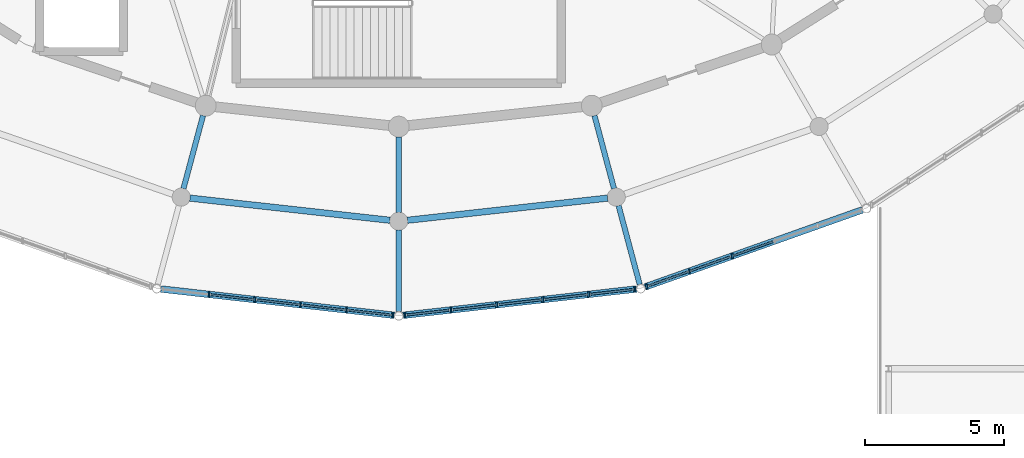
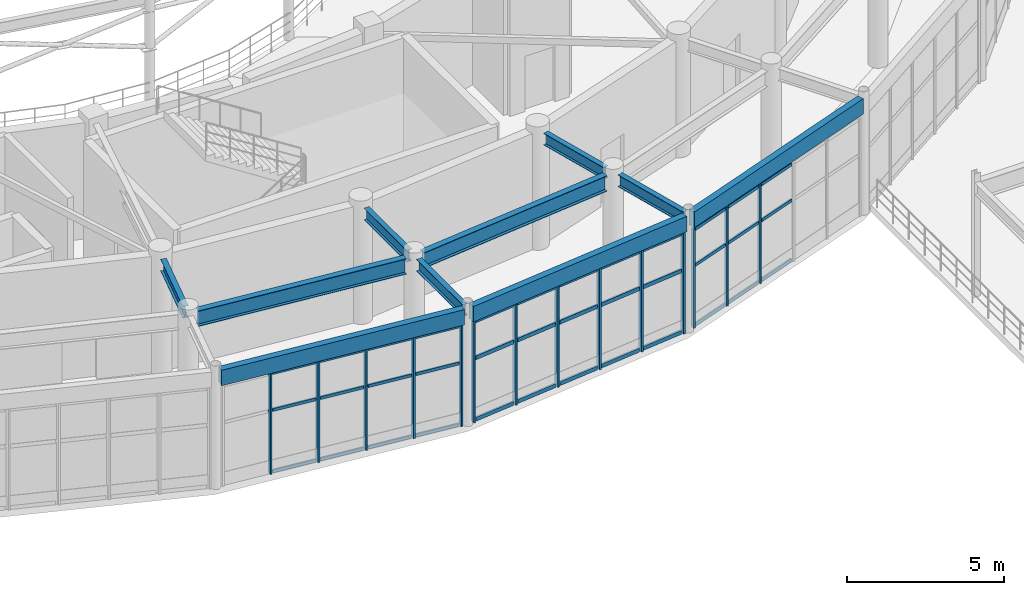
# One storey, part 36 of 144: 50 members, 10 beams, 3 elements without a shape of their own.
"""IFC4 building model written with IfcOpenShell, lengths in metres."""

from ifc_helpers import new_model, si_unit, direction, frame, origin, origin_2d, place, context, subcontext, project, spatial, rectangle, i_section, extrude, material, material_profile, profile_set, type_object, element, aggregate, save


model = new_model("IFC4")

# Units and contexts
model_context = context("Model", 3, precision=1e-05, world=origin(), true_north=direction((0.0, 1.0)))
body_context = subcontext(model_context, "Body", "Model", "MODEL_VIEW")
ifc_project = project(units=[si_unit("LENGTHUNIT", "METRE"), si_unit("AREAUNIT", "SQUARE_METRE"), si_unit("VOLUMEUNIT", "CUBIC_METRE"), si_unit("PLANEANGLEUNIT", "RADIAN"), si_unit("MASSUNIT", "GRAM", prefix="KILO")], contexts=[model_context])

# Site, building, storey
site_placement = place(None, origin())
site = spatial("IfcSite", under=ifc_project, at=site_placement, CompositionType="ELEMENT")
building_placement = place(site_placement, origin())
building = spatial("IfcBuilding", under=site, at=building_placement, Name="Cinderbank Siding Concert Hall", CompositionType="ELEMENT")
storey_placement = place(building_placement, frame((0.0, 0.0, 5.39990234375)))
storey = spatial("IfcBuildingStorey", under=building, at=storey_placement, Name="L02", CompositionType="ELEMENT", Elevation=5.39990234375)

# Beams
ifc_material_1 = material(Name="Structural steel AS/NZS 3679.1 Grade 350 (340 MPa)", Category="steel")
ifc_material_profile_1 = material_profile(ifc_material_1, i_section(OverallWidth=0.19091796875, OverallDepth=0.46044921875, WebThickness=0.010009765625, FlangeThickness=0.01611328125, at=origin_2d()), Name="460UB82.1", Category="LoadBearing")
ifc_profile_set_1 = profile_set([ifc_material_profile_1], Name="Structural steel AS/NZS 3679.1 Grade 350 (340 MPa)")
beam_type_1 = type_object("IfcBeamType", Name="BM-UB460H 460UB82.1", PredefinedType="BEAM", material=ifc_profile_set_1)
beam_1_placement = place(storey_placement, frame((114.968505859375, 22.39501953125, 4.2919921875), z_axis=(-0.258809477387, -0.9659283899, 0.0), x_axis=(0.9659283899, -0.258809477387, 0.0)))
element("IfcBeam", 1, at=beam_1_placement, inside=storey, type_object=beam_type_1, Name="L02 Beam BM-UB460H #513", PredefinedType="BEAM", context=body_context, shape_type="SweptSolid", body=[
    extrude(i_section(OverallWidth=0.19091796875, OverallDepth=0.46044921875, WebThickness=0.010009765625, FlangeThickness=0.01611328125, at=origin_2d()), origin(), (0.0, 0.0, 1.0), 2.7158203125),
])
beam_2_placement = place(storey_placement, frame((122.0, 21.633056640625, 4.2919921875), z_axis=(0.0, -1.0, 0.0), x_axis=(1.0, 0.0, 0.0)))
element("IfcBeam", 2, at=beam_2_placement, inside=storey, type_object=beam_type_1, Name="L02 Beam BM-UB460H #514", PredefinedType="BEAM", context=body_context, shape_type="SweptSolid", body=[
    extrude(i_section(OverallWidth=0.19091796875, OverallDepth=0.46044921875, WebThickness=0.010009765625, FlangeThickness=0.01611328125, at=origin_2d()), origin(), (0.0, 0.0, 1.0), 2.716064453125),
])
beam_3_placement = place(storey_placement, frame((129.031494140625, 22.39501953125, 4.2919921875), z_axis=(0.258809477387, -0.9659283899, 0.0), x_axis=(0.9659283899, 0.258809477387, 0.0)))
element("IfcBeam", 3, at=beam_3_placement, inside=storey, type_object=beam_type_1, Name="L02 Beam BM-UB460H #515", PredefinedType="BEAM", context=body_context, shape_type="SweptSolid", body=[
    extrude(i_section(OverallWidth=0.19091796875, OverallDepth=0.46044921875, WebThickness=0.010009765625, FlangeThickness=0.01611328125, at=origin_2d()), origin(), (0.0, 0.0, 1.0), 2.7158203125),
])
for number, where, z_axis, x_axis, name in (
    (4, (122.0, 18.282958984375, 4.331787109375), (0.0, -1.0, 0.0), (1.0, 0.0, 0.0), "L02 Beam BM-UB460H #539"),
    (5, (129.898193359375, 19.1591796875, 4.331787109375), (0.258897184534, -0.965904885504, 0.0), (0.965904885504, 0.258897184534, 0.0), "L02 Beam BM-UB460H #540"),
):
    element("IfcBeam", number, at=place(storey_placement, frame(where, z_axis=z_axis, x_axis=x_axis)), inside=storey, type_object=beam_type_1, Name=name, PredefinedType="BEAM", context=body_context, shape_type="SweptSolid", body=[
        extrude(i_section(OverallWidth=0.19091796875, OverallDepth=0.46044921875, WebThickness=0.010009765625, FlangeThickness=0.01611328125, at=origin_2d()), origin(), (0.0, 0.0, 1.0), 2.928955078125),
    ])
ifc_material_profile_2 = material_profile(ifc_material_1, i_section(OverallWidth=0.22802734375, OverallDepth=0.60693359375, WebThickness=0.01123046875, FlangeThickness=0.017333984375, at=origin_2d()), Name="610UB113", Category="LoadBearing")
ifc_profile_set_2 = profile_set([ifc_material_profile_2], Name="Structural steel AS/NZS 3679.1 Grade 350 (340 MPa)")
beam_type_2 = type_object("IfcBeamType", Name="BM-UB610M 610UB113", PredefinedType="BEAM", material=ifc_profile_set_2)
for number, where, z_axis, x_axis, name in (
    (6, (114.498779296875, 19.4306640625, 4.218505859375), (0.993926077211, -0.110049775281, 0.0), (0.110049775281, 0.993926077211, 0.0), "L02 Beam BM-UB610M #457"),
    (7, (122.315185546875, 18.635009765625, 4.218505859375), (0.993926077211, 0.110049775281, 0.0), (-0.110049775281, 0.993926077211, 0.0), "L02 Beam BM-UB610M #458"),
):
    element("IfcBeam", number, at=place(storey_placement, frame(where, z_axis=z_axis, x_axis=x_axis)), inside=storey, type_object=beam_type_2, Name=name, PredefinedType="BEAM", context=body_context, shape_type="SweptSolid", body=[
        extrude(i_section(OverallWidth=0.22802734375, OverallDepth=0.60693359375, WebThickness=0.01123046875, FlangeThickness=0.017333984375, at=origin_2d()), origin(), (0.0, 0.0, 1.0), 7.22998046875),
    ])

# Curtain wall, members
ifc_material_2 = material(Name="Anodised aluminium alloy 6063-T6", Category="aluminium")
curtain_wall_type_1 = type_object("IfcCurtainWallType", Name="CW-06 Unitised Acoustic Curtain Wall 7600x3800", PredefinedType="NOTDEFINED", material=ifc_material_2)
curtain_wall_1_placement = place(storey_placement, origin())
curtain_wall_1 = element("IfcCurtainWall", 8, at=curtain_wall_1_placement, inside=storey, type_object=curtain_wall_type_1, Name="L02 Curtain Wall CW-06 #18", PredefinedType="NOTDEFINED")
ifc_material_profile_3 = material_profile(ifc_material_2, rectangle(XDim=0.06005859375, YDim=0.159912109375, at=origin_2d()), Name="ALU-MULL-60x160", Category="LoadBearing")
ifc_profile_set_3 = profile_set([ifc_material_profile_3], Name="Anodised aluminium alloy 6063-T6")
member_type_1 = type_object("IfcMemberType", Name="CW-ML1 Mullion 60x160", PredefinedType="MULLION", material=ifc_profile_set_3)
member_1_placement = place(storey_placement, frame((115.17822265625, 15.9697265625, 0.0), z_axis=(0.0, 0.0, 1.0), x_axis=(1.0, 0.0, 0.0)))
member_1 = element("IfcMember", 9, at=member_1_placement, type_object=member_type_1, Name="CW-L02-018 Mullion 1", PredefinedType="MULLION", context=body_context, shape_type="SweptSolid", body=[
    extrude(rectangle(XDim=0.06005859375, YDim=0.159912109375, at=origin_2d()), origin(), (0.0, 0.0, 1.0), 3.947021484375),
])
member_2_placement = place(storey_placement, frame((116.827392578125, 15.78369140625, 0.0), z_axis=(0.0, 0.0, 1.0), x_axis=(1.0, 0.0, 0.0)))
member_2 = element("IfcMember", 10, at=member_2_placement, type_object=member_type_1, Name="CW-L02-018 Mullion 2", PredefinedType="MULLION", context=body_context, shape_type="SweptSolid", body=[
    extrude(rectangle(XDim=0.06005859375, YDim=0.159912109375, at=origin_2d()), origin(), (0.0, 0.0, 1.0), 3.947021484375),
])
member_3_placement = place(storey_placement, frame((118.476318359375, 15.59765625, 0.0), z_axis=(0.0, 0.0, 1.0), x_axis=(1.0, 0.0, 0.0)))
member_3 = element("IfcMember", 11, at=member_3_placement, type_object=member_type_1, Name="CW-L02-018 Mullion 3", PredefinedType="MULLION", context=body_context, shape_type="SweptSolid", body=[
    extrude(rectangle(XDim=0.06005859375, YDim=0.159912109375, at=origin_2d()), origin(), (0.0, 0.0, 1.0), 3.947021484375),
])
member_4_placement = place(storey_placement, frame((120.12548828125, 15.41162109375, 0.0), z_axis=(0.0, 0.0, 1.0), x_axis=(1.0, 0.0, 0.0)))
member_4 = element("IfcMember", 12, at=member_4_placement, type_object=member_type_1, Name="CW-L02-018 Mullion 4", PredefinedType="MULLION", context=body_context, shape_type="SweptSolid", body=[
    extrude(rectangle(XDim=0.06005859375, YDim=0.159912109375, at=origin_2d()), origin(), (0.0, 0.0, 1.0), 3.947021484375),
])
member_5_placement = place(storey_placement, frame((121.7744140625, 15.225341796875, 0.0), z_axis=(0.0, 0.0, 1.0), x_axis=(1.0, 0.0, 0.0)))
member_5 = element("IfcMember", 13, at=member_5_placement, type_object=member_type_1, Name="CW-L02-018 Mullion 5", PredefinedType="MULLION", context=body_context, shape_type="SweptSolid", body=[
    extrude(rectangle(XDim=0.06005859375, YDim=0.159912109375, at=origin_2d()), origin(), (0.0, 0.0, 1.0), 3.947021484375),
])

curtain_wall_type_2 = type_object("IfcCurtainWallType", Name="CW-08 Unitised Acoustic Curtain Wall 6400x3800", PredefinedType="NOTDEFINED", material=ifc_material_2)
curtain_wall_2_placement = place(storey_placement, origin())
curtain_wall_2 = element("IfcCurtainWall", 14, at=curtain_wall_2_placement, inside=storey, type_object=curtain_wall_type_2, Name="L02 Curtain Wall CW-08 #20", PredefinedType="NOTDEFINED")
member_6_placement = place(storey_placement, frame((130.91015625, 16.257080078125, 0.0), z_axis=(0.0, 0.0, 1.0), x_axis=(1.0, 0.0, 0.0)))
member_6 = element("IfcMember", 15, at=member_6_placement, type_object=member_type_1, Name="CW-L02-020 Mullion 0", PredefinedType="MULLION", context=body_context, shape_type="SweptSolid", body=[
    extrude(rectangle(XDim=0.06005859375, YDim=0.159912109375, at=origin_2d()), origin(), (0.0, 0.0, 1.0), 3.837158203125),
])
member_7_placement = place(storey_placement, frame((132.4453125, 16.80224609375, 0.0), z_axis=(0.0, 0.0, 1.0), x_axis=(1.0, 0.0, 0.0)))
member_7 = element("IfcMember", 16, at=member_7_placement, type_object=member_type_1, Name="CW-L02-020 Mullion 1", PredefinedType="MULLION", context=body_context, shape_type="SweptSolid", body=[
    extrude(rectangle(XDim=0.06005859375, YDim=0.159912109375, at=origin_2d()), origin(), (0.0, 0.0, 1.0), 3.837158203125),
])
member_8_placement = place(storey_placement, frame((133.980712890625, 17.347412109375, 0.0), z_axis=(0.0, 0.0, 1.0), x_axis=(1.0, 0.0, 0.0)))
member_8 = element("IfcMember", 17, at=member_8_placement, type_object=member_type_1, Name="CW-L02-020 Mullion 2", PredefinedType="MULLION", context=body_context, shape_type="SweptSolid", body=[
    extrude(rectangle(XDim=0.06005859375, YDim=0.159912109375, at=origin_2d()), origin(), (0.0, 0.0, 1.0), 3.837158203125),
])

curtain_wall_type_3 = type_object("IfcCurtainWallType", Name="CW-07 Unitised Acoustic Curtain Wall 7000x3800", PredefinedType="NOTDEFINED", material=ifc_material_2)
curtain_wall_3_placement = place(storey_placement, origin())
curtain_wall_3 = element("IfcCurtainWall", 18, at=curtain_wall_3_placement, inside=storey, type_object=curtain_wall_type_3, Name="L02 Curtain Wall CW-07 #19", PredefinedType="NOTDEFINED")
ifc_material_profile_4 = material_profile(ifc_material_2, rectangle(XDim=0.06494140625, YDim=0.199951171875, at=origin_2d()), Name="ALU-MULL-65x200", Category="LoadBearing")
ifc_profile_set_4 = profile_set([ifc_material_profile_4], Name="Anodised aluminium alloy 6063-T6")
member_type_2 = type_object("IfcMemberType", Name="CW-ML2 Mullion 65x200", PredefinedType="MULLION", material=ifc_profile_set_4)
member_9_placement = place(storey_placement, frame((122.2255859375, 15.225341796875, 0.0), z_axis=(0.0, 0.0, 1.0), x_axis=(1.0, 0.0, 0.0)))
member_9 = element("IfcMember", 19, at=member_9_placement, type_object=member_type_2, Name="CW-L02-019 Mullion 0", PredefinedType="MULLION", context=body_context, shape_type="SweptSolid", body=[
    extrude(rectangle(XDim=0.06494140625, YDim=0.199951171875, at=origin_2d()), origin(), (0.0, 0.0, 1.0), 3.947021484375),
])
member_10_placement = place(storey_placement, frame((123.87451171875, 15.41162109375, 0.0), z_axis=(0.0, 0.0, 1.0), x_axis=(1.0, 0.0, 0.0)))
member_10 = element("IfcMember", 20, at=member_10_placement, type_object=member_type_2, Name="CW-L02-019 Mullion 1", PredefinedType="MULLION", context=body_context, shape_type="SweptSolid", body=[
    extrude(rectangle(XDim=0.06494140625, YDim=0.199951171875, at=origin_2d()), origin(), (0.0, 0.0, 1.0), 3.947021484375),
])
member_11_placement = place(storey_placement, frame((125.523681640625, 15.59765625, 0.0), z_axis=(0.0, 0.0, 1.0), x_axis=(1.0, 0.0, 0.0)))
member_11 = element("IfcMember", 21, at=member_11_placement, type_object=member_type_2, Name="CW-L02-019 Mullion 2", PredefinedType="MULLION", context=body_context, shape_type="SweptSolid", body=[
    extrude(rectangle(XDim=0.06494140625, YDim=0.199951171875, at=origin_2d()), origin(), (0.0, 0.0, 1.0), 3.947021484375),
])
member_12_placement = place(storey_placement, frame((127.172607421875, 15.78369140625, 0.0), z_axis=(0.0, 0.0, 1.0), x_axis=(1.0, 0.0, 0.0)))
member_12 = element("IfcMember", 22, at=member_12_placement, type_object=member_type_2, Name="CW-L02-019 Mullion 3", PredefinedType="MULLION", context=body_context, shape_type="SweptSolid", body=[
    extrude(rectangle(XDim=0.06494140625, YDim=0.199951171875, at=origin_2d()), origin(), (0.0, 0.0, 1.0), 3.947021484375),
])
member_13_placement = place(storey_placement, frame((128.82177734375, 15.9697265625, 0.0), z_axis=(0.0, 0.0, 1.0), x_axis=(1.0, 0.0, 0.0)))
member_13 = element("IfcMember", 23, at=member_13_placement, type_object=member_type_2, Name="CW-L02-019 Mullion 4", PredefinedType="MULLION", context=body_context, shape_type="SweptSolid", body=[
    extrude(rectangle(XDim=0.06494140625, YDim=0.199951171875, at=origin_2d()), origin(), (0.0, 0.0, 1.0), 3.947021484375),
])
member_14_placement = place(storey_placement, frame((130.470703125, 16.156005859375, 0.0), z_axis=(0.0, 0.0, 1.0), x_axis=(1.0, 0.0, 0.0)))
member_14 = element("IfcMember", 24, at=member_14_placement, type_object=member_type_2, Name="CW-L02-019 Mullion 5", PredefinedType="MULLION", context=body_context, shape_type="SweptSolid", body=[
    extrude(rectangle(XDim=0.06494140625, YDim=0.199951171875, at=origin_2d()), origin(), (0.0, 0.0, 1.0), 3.947021484375),
])

# Member
ifc_material_profile_5 = material_profile(ifc_material_2, rectangle(XDim=0.06005859375, YDim=0.1201171875, at=origin_2d()), Name="ALU-TRAN-60x120", Category="LoadBearing")
ifc_profile_set_5 = profile_set([ifc_material_profile_5], Name="Anodised aluminium alloy 6063-T6")
member_type_3 = type_object("IfcMemberType", Name="CW-TR1 Transom 60x120", PredefinedType="USERDEFINED", material=ifc_profile_set_5)
member_15_placement = place(storey_placement, frame((115.2607421875, 15.96044921875, 0.06005859375), z_axis=(0.993692895122, -0.112135766747, 0.0), x_axis=(0.112135766747, 0.993692895122, 0.0)))
member_15 = element("IfcMember", 25, at=member_15_placement, type_object=member_type_3, Name="CW-L02-018 Transom 1-0", ObjectType="TRANSOM", PredefinedType="USERDEFINED", context=body_context, shape_type="SweptSolid", body=[
    extrude(rectangle(XDim=0.06005859375, YDim=0.1201171875, at=origin_2d()), origin(), (0.0, 0.0, 1.0), 1.49365234375),
])

member_16_placement = place(storey_placement, frame((115.2607421875, 15.96044921875, 2.447265625), z_axis=(0.993692895122, -0.112135766747, 0.0), x_axis=(0.112135766747, 0.993692895122, 0.0)))
member_16 = element("IfcMember", 26, at=member_16_placement, type_object=member_type_3, Name="CW-L02-018 Transom 1-1", ObjectType="TRANSOM", PredefinedType="USERDEFINED", context=body_context, shape_type="SweptSolid", body=[
    extrude(rectangle(XDim=0.06005859375, YDim=0.1201171875, at=origin_2d()), origin(), (0.0, 0.0, 1.0), 1.49365234375),
])

member_17_placement = place(storey_placement, frame((115.2607421875, 15.96044921875, 3.88720703125), z_axis=(0.993692895122, -0.112135766747, 0.0), x_axis=(0.112135766747, 0.993692895122, 0.0)))
member_17 = element("IfcMember", 27, at=member_17_placement, type_object=member_type_3, Name="CW-L02-018 Transom 1-2", ObjectType="TRANSOM", PredefinedType="USERDEFINED", context=body_context, shape_type="SweptSolid", body=[
    extrude(rectangle(XDim=0.06005859375, YDim=0.1201171875, at=origin_2d()), origin(), (0.0, 0.0, 1.0), 1.49365234375),
])

member_18_placement = place(storey_placement, frame((116.909912109375, 15.7744140625, 0.06005859375), z_axis=(0.993690839164, -0.112153984151, 0.0), x_axis=(0.112153984151, 0.993690839164, 0.0)))
member_18 = element("IfcMember", 28, at=member_18_placement, type_object=member_type_3, Name="CW-L02-018 Transom 2-0", ObjectType="TRANSOM", PredefinedType="USERDEFINED", context=body_context, shape_type="SweptSolid", body=[
    extrude(rectangle(XDim=0.06005859375, YDim=0.1201171875, at=origin_2d()), origin(), (0.0, 0.0, 1.0), 1.493408203125),
])

member_19_placement = place(storey_placement, frame((116.909912109375, 15.7744140625, 2.447265625), z_axis=(0.993690839164, -0.112153984151, 0.0), x_axis=(0.112153984151, 0.993690839164, 0.0)))
member_19 = element("IfcMember", 29, at=member_19_placement, type_object=member_type_3, Name="CW-L02-018 Transom 2-1", ObjectType="TRANSOM", PredefinedType="USERDEFINED", context=body_context, shape_type="SweptSolid", body=[
    extrude(rectangle(XDim=0.06005859375, YDim=0.1201171875, at=origin_2d()), origin(), (0.0, 0.0, 1.0), 1.493408203125),
])

member_20_placement = place(storey_placement, frame((116.909912109375, 15.7744140625, 3.88720703125), z_axis=(0.993690839164, -0.112153984151, 0.0), x_axis=(0.112153984151, 0.993690839164, 0.0)))
member_20 = element("IfcMember", 30, at=member_20_placement, type_object=member_type_3, Name="CW-L02-018 Transom 2-2", ObjectType="TRANSOM", PredefinedType="USERDEFINED", context=body_context, shape_type="SweptSolid", body=[
    extrude(rectangle(XDim=0.06005859375, YDim=0.1201171875, at=origin_2d()), origin(), (0.0, 0.0, 1.0), 1.493408203125),
])

member_21_placement = place(storey_placement, frame((118.558837890625, 15.58837890625, 0.06005859375), z_axis=(0.993692895122, -0.112135766747, 0.0), x_axis=(0.112135766747, 0.993692895122, 0.0)))
member_21 = element("IfcMember", 31, at=member_21_placement, type_object=member_type_3, Name="CW-L02-018 Transom 3-0", ObjectType="TRANSOM", PredefinedType="USERDEFINED", context=body_context, shape_type="SweptSolid", body=[
    extrude(rectangle(XDim=0.06005859375, YDim=0.1201171875, at=origin_2d()), origin(), (0.0, 0.0, 1.0), 1.49365234375),
])

member_22_placement = place(storey_placement, frame((118.558837890625, 15.58837890625, 2.447265625), z_axis=(0.993692895122, -0.112135766747, 0.0), x_axis=(0.112135766747, 0.993692895122, 0.0)))
member_22 = element("IfcMember", 32, at=member_22_placement, type_object=member_type_3, Name="CW-L02-018 Transom 3-1", ObjectType="TRANSOM", PredefinedType="USERDEFINED", context=body_context, shape_type="SweptSolid", body=[
    extrude(rectangle(XDim=0.06005859375, YDim=0.1201171875, at=origin_2d()), origin(), (0.0, 0.0, 1.0), 1.49365234375),
])

member_23_placement = place(storey_placement, frame((118.558837890625, 15.58837890625, 3.88720703125), z_axis=(0.993692895122, -0.112135766747, 0.0), x_axis=(0.112135766747, 0.993692895122, 0.0)))
member_23 = element("IfcMember", 33, at=member_23_placement, type_object=member_type_3, Name="CW-L02-018 Transom 3-2", ObjectType="TRANSOM", PredefinedType="USERDEFINED", context=body_context, shape_type="SweptSolid", body=[
    extrude(rectangle(XDim=0.06005859375, YDim=0.1201171875, at=origin_2d()), origin(), (0.0, 0.0, 1.0), 1.49365234375),
])

member_24_placement = place(storey_placement, frame((120.2080078125, 15.402099609375, 0.06005859375), z_axis=(0.993709046729, -0.111992546398, 0.0), x_axis=(0.111992546398, 0.993709046729, 0.0)))
member_24 = element("IfcMember", 34, at=member_24_placement, type_object=member_type_3, Name="CW-L02-018 Transom 4-0", ObjectType="TRANSOM", PredefinedType="USERDEFINED", context=body_context, shape_type="SweptSolid", body=[
    extrude(rectangle(XDim=0.06005859375, YDim=0.1201171875, at=origin_2d()), origin(), (0.0, 0.0, 1.0), 1.4931640625),
])

member_25_placement = place(storey_placement, frame((120.2080078125, 15.402099609375, 2.447265625), z_axis=(0.993709046729, -0.111992546398, 0.0), x_axis=(0.111992546398, 0.993709046729, 0.0)))
member_25 = element("IfcMember", 35, at=member_25_placement, type_object=member_type_3, Name="CW-L02-018 Transom 4-1", ObjectType="TRANSOM", PredefinedType="USERDEFINED", context=body_context, shape_type="SweptSolid", body=[
    extrude(rectangle(XDim=0.06005859375, YDim=0.1201171875, at=origin_2d()), origin(), (0.0, 0.0, 1.0), 1.4931640625),
])

member_26_placement = place(storey_placement, frame((120.2080078125, 15.402099609375, 3.88720703125), z_axis=(0.993709046729, -0.111992546398, 0.0), x_axis=(0.111992546398, 0.993709046729, 0.0)))
member_26 = element("IfcMember", 36, at=member_26_placement, type_object=member_type_3, Name="CW-L02-018 Transom 4-2", ObjectType="TRANSOM", PredefinedType="USERDEFINED", context=body_context, shape_type="SweptSolid", body=[
    extrude(rectangle(XDim=0.06005859375, YDim=0.1201171875, at=origin_2d()), origin(), (0.0, 0.0, 1.0), 1.4931640625),
])

aggregate(curtain_wall_1, [member_1, member_2, member_3, member_4, member_5, member_15, member_16, member_17, member_18, member_19, member_20, member_21, member_22, member_23, member_24, member_25, member_26])

member_27_placement = place(storey_placement, frame((130.98681640625, 16.284423828125, 0.06005859375), z_axis=(0.942395579657, 0.334500480482, 0.0), x_axis=(-0.334500480482, 0.942395579657, 0.0)))
member_27 = element("IfcMember", 37, at=member_27_placement, type_object=member_type_3, Name="CW-L02-020 Transom 0-0", ObjectType="TRANSOM", PredefinedType="USERDEFINED", context=body_context, shape_type="SweptSolid", body=[
    extrude(rectangle(XDim=0.06005859375, YDim=0.1201171875, at=origin_2d()), origin(), (0.0, 0.0, 1.0), 1.46630859375),
])

member_28_placement = place(storey_placement, frame((130.98681640625, 16.284423828125, 2.37890625), z_axis=(0.942395579657, 0.334500480482, 0.0), x_axis=(-0.334500480482, 0.942395579657, 0.0)))
member_28 = element("IfcMember", 38, at=member_28_placement, type_object=member_type_3, Name="CW-L02-020 Transom 0-1", ObjectType="TRANSOM", PredefinedType="USERDEFINED", context=body_context, shape_type="SweptSolid", body=[
    extrude(rectangle(XDim=0.06005859375, YDim=0.1201171875, at=origin_2d()), origin(), (0.0, 0.0, 1.0), 1.46630859375),
])

member_29_placement = place(storey_placement, frame((130.98681640625, 16.284423828125, 3.777099609375), z_axis=(0.942395579657, 0.334500480482, 0.0), x_axis=(-0.334500480482, 0.942395579657, 0.0)))
member_29 = element("IfcMember", 39, at=member_29_placement, type_object=member_type_3, Name="CW-L02-020 Transom 0-2", ObjectType="TRANSOM", PredefinedType="USERDEFINED", context=body_context, shape_type="SweptSolid", body=[
    extrude(rectangle(XDim=0.06005859375, YDim=0.1201171875, at=origin_2d()), origin(), (0.0, 0.0, 1.0), 1.46630859375),
])

member_30_placement = place(storey_placement, frame((132.522216796875, 16.82958984375, 0.06005859375), z_axis=(0.942376945381, 0.334552974602, 0.0), x_axis=(-0.334552974602, 0.942376945381, 0.0)))
member_30 = element("IfcMember", 40, at=member_30_placement, type_object=member_type_3, Name="CW-L02-020 Transom 1-0", ObjectType="TRANSOM", PredefinedType="USERDEFINED", context=body_context, shape_type="SweptSolid", body=[
    extrude(rectangle(XDim=0.06005859375, YDim=0.1201171875, at=origin_2d()), origin(), (0.0, 0.0, 1.0), 1.466064453125),
])

member_31_placement = place(storey_placement, frame((132.522216796875, 16.82958984375, 2.37890625), z_axis=(0.942376945381, 0.334552974602, 0.0), x_axis=(-0.334552974602, 0.942376945381, 0.0)))
member_31 = element("IfcMember", 41, at=member_31_placement, type_object=member_type_3, Name="CW-L02-020 Transom 1-1", ObjectType="TRANSOM", PredefinedType="USERDEFINED", context=body_context, shape_type="SweptSolid", body=[
    extrude(rectangle(XDim=0.06005859375, YDim=0.1201171875, at=origin_2d()), origin(), (0.0, 0.0, 1.0), 1.466064453125),
])

member_32_placement = place(storey_placement, frame((132.522216796875, 16.82958984375, 3.777099609375), z_axis=(0.942376945381, 0.334552974602, 0.0), x_axis=(-0.334552974602, 0.942376945381, 0.0)))
member_32 = element("IfcMember", 42, at=member_32_placement, type_object=member_type_3, Name="CW-L02-020 Transom 1-2", ObjectType="TRANSOM", PredefinedType="USERDEFINED", context=body_context, shape_type="SweptSolid", body=[
    extrude(rectangle(XDim=0.06005859375, YDim=0.1201171875, at=origin_2d()), origin(), (0.0, 0.0, 1.0), 1.466064453125),
])

member_33_placement = place(storey_placement, frame((134.057373046875, 17.37451171875, 0.06005859375), z_axis=(0.942324434865, 0.334700850694, 0.0), x_axis=(-0.334700850694, 0.942324434865, 0.0)))
member_33 = element("IfcMember", 43, at=member_33_placement, type_object=member_type_3, Name="CW-L02-020 Transom 2-0", ObjectType="TRANSOM", PredefinedType="USERDEFINED", context=body_context, shape_type="SweptSolid", body=[
    extrude(rectangle(XDim=0.06005859375, YDim=0.1201171875, at=origin_2d()), origin(), (0.0, 0.0, 1.0), 1.466064453125),
])

member_34_placement = place(storey_placement, frame((134.057373046875, 17.37451171875, 2.37890625), z_axis=(0.942324434865, 0.334700850694, 0.0), x_axis=(-0.334700850694, 0.942324434865, 0.0)))
member_34 = element("IfcMember", 44, at=member_34_placement, type_object=member_type_3, Name="CW-L02-020 Transom 2-1", ObjectType="TRANSOM", PredefinedType="USERDEFINED", context=body_context, shape_type="SweptSolid", body=[
    extrude(rectangle(XDim=0.06005859375, YDim=0.1201171875, at=origin_2d()), origin(), (0.0, 0.0, 1.0), 1.466064453125),
])

member_35_placement = place(storey_placement, frame((134.057373046875, 17.37451171875, 3.777099609375), z_axis=(0.942324434865, 0.334700850694, 0.0), x_axis=(-0.334700850694, 0.942324434865, 0.0)))
member_35 = element("IfcMember", 45, at=member_35_placement, type_object=member_type_3, Name="CW-L02-020 Transom 2-2", ObjectType="TRANSOM", PredefinedType="USERDEFINED", context=body_context, shape_type="SweptSolid", body=[
    extrude(rectangle(XDim=0.06005859375, YDim=0.1201171875, at=origin_2d()), origin(), (0.0, 0.0, 1.0), 1.466064453125),
])

aggregate(curtain_wall_2, [member_6, member_7, member_8, member_27, member_28, member_29, member_30, member_31, member_32, member_33, member_34, member_35])

ifc_material_profile_6 = material_profile(ifc_material_2, rectangle(XDim=0.06494140625, YDim=0.14990234375, at=origin_2d()), Name="ALU-TRAN-65x150", Category="LoadBearing")
ifc_profile_set_6 = profile_set([ifc_material_profile_6], Name="Anodised aluminium alloy 6063-T6")
member_type_4 = type_object("IfcMemberType", Name="CW-TR2 Transom 65x150", PredefinedType="USERDEFINED", material=ifc_profile_set_6)
member_36_placement = place(storey_placement, frame((122.30810546875, 15.23486328125, 0.06005859375), z_axis=(0.993709046729, 0.111992546398, 0.0), x_axis=(-0.111992546398, 0.993709046729, 0.0)))
member_36 = element("IfcMember", 46, at=member_36_placement, type_object=member_type_4, Name="CW-L02-019 Transom 0-0", ObjectType="TRANSOM", PredefinedType="USERDEFINED", context=body_context, shape_type="SweptSolid", body=[
    extrude(rectangle(XDim=0.06494140625, YDim=0.14990234375, at=origin_2d()), origin(), (0.0, 0.0, 1.0), 1.4931640625),
])

member_37_placement = place(storey_placement, frame((122.30810546875, 15.23486328125, 2.447265625), z_axis=(0.993709046729, 0.111992546398, 0.0), x_axis=(-0.111992546398, 0.993709046729, 0.0)))
member_37 = element("IfcMember", 47, at=member_37_placement, type_object=member_type_4, Name="CW-L02-019 Transom 0-1", ObjectType="TRANSOM", PredefinedType="USERDEFINED", context=body_context, shape_type="SweptSolid", body=[
    extrude(rectangle(XDim=0.06494140625, YDim=0.14990234375, at=origin_2d()), origin(), (0.0, 0.0, 1.0), 1.4931640625),
])

member_38_placement = place(storey_placement, frame((122.30810546875, 15.23486328125, 3.88720703125), z_axis=(0.993709046729, 0.111992546398, 0.0), x_axis=(-0.111992546398, 0.993709046729, 0.0)))
member_38 = element("IfcMember", 48, at=member_38_placement, type_object=member_type_4, Name="CW-L02-019 Transom 0-2", ObjectType="TRANSOM", PredefinedType="USERDEFINED", context=body_context, shape_type="SweptSolid", body=[
    extrude(rectangle(XDim=0.06494140625, YDim=0.14990234375, at=origin_2d()), origin(), (0.0, 0.0, 1.0), 1.4931640625),
])

member_39_placement = place(storey_placement, frame((123.95703125, 15.4208984375, 0.06005859375), z_axis=(0.993692895122, 0.112135766747, 0.0), x_axis=(-0.112135766747, 0.993692895122, 0.0)))
member_39 = element("IfcMember", 49, at=member_39_placement, type_object=member_type_4, Name="CW-L02-019 Transom 1-0", ObjectType="TRANSOM", PredefinedType="USERDEFINED", context=body_context, shape_type="SweptSolid", body=[
    extrude(rectangle(XDim=0.06494140625, YDim=0.14990234375, at=origin_2d()), origin(), (0.0, 0.0, 1.0), 1.49365234375),
])

member_40_placement = place(storey_placement, frame((123.95703125, 15.4208984375, 2.447265625), z_axis=(0.993692895122, 0.112135766747, 0.0), x_axis=(-0.112135766747, 0.993692895122, 0.0)))
member_40 = element("IfcMember", 50, at=member_40_placement, type_object=member_type_4, Name="CW-L02-019 Transom 1-1", ObjectType="TRANSOM", PredefinedType="USERDEFINED", context=body_context, shape_type="SweptSolid", body=[
    extrude(rectangle(XDim=0.06494140625, YDim=0.14990234375, at=origin_2d()), origin(), (0.0, 0.0, 1.0), 1.49365234375),
])

member_41_placement = place(storey_placement, frame((123.95703125, 15.4208984375, 3.88720703125), z_axis=(0.993692895122, 0.112135766747, 0.0), x_axis=(-0.112135766747, 0.993692895122, 0.0)))
member_41 = element("IfcMember", 51, at=member_41_placement, type_object=member_type_4, Name="CW-L02-019 Transom 1-2", ObjectType="TRANSOM", PredefinedType="USERDEFINED", context=body_context, shape_type="SweptSolid", body=[
    extrude(rectangle(XDim=0.06494140625, YDim=0.14990234375, at=origin_2d()), origin(), (0.0, 0.0, 1.0), 1.49365234375),
])

member_42_placement = place(storey_placement, frame((125.606201171875, 15.60693359375, 0.06005859375), z_axis=(0.993690839164, 0.112153984151, 0.0), x_axis=(-0.112153984151, 0.993690839164, 0.0)))
member_42 = element("IfcMember", 52, at=member_42_placement, type_object=member_type_4, Name="CW-L02-019 Transom 2-0", ObjectType="TRANSOM", PredefinedType="USERDEFINED", context=body_context, shape_type="SweptSolid", body=[
    extrude(rectangle(XDim=0.06494140625, YDim=0.14990234375, at=origin_2d()), origin(), (0.0, 0.0, 1.0), 1.493408203125),
])

member_43_placement = place(storey_placement, frame((125.606201171875, 15.60693359375, 2.447265625), z_axis=(0.993690839164, 0.112153984151, 0.0), x_axis=(-0.112153984151, 0.993690839164, 0.0)))
member_43 = element("IfcMember", 53, at=member_43_placement, type_object=member_type_4, Name="CW-L02-019 Transom 2-1", ObjectType="TRANSOM", PredefinedType="USERDEFINED", context=body_context, shape_type="SweptSolid", body=[
    extrude(rectangle(XDim=0.06494140625, YDim=0.14990234375, at=origin_2d()), origin(), (0.0, 0.0, 1.0), 1.493408203125),
])

member_44_placement = place(storey_placement, frame((125.606201171875, 15.60693359375, 3.88720703125), z_axis=(0.993690839164, 0.112153984151, 0.0), x_axis=(-0.112153984151, 0.993690839164, 0.0)))
member_44 = element("IfcMember", 54, at=member_44_placement, type_object=member_type_4, Name="CW-L02-019 Transom 2-2", ObjectType="TRANSOM", PredefinedType="USERDEFINED", context=body_context, shape_type="SweptSolid", body=[
    extrude(rectangle(XDim=0.06494140625, YDim=0.14990234375, at=origin_2d()), origin(), (0.0, 0.0, 1.0), 1.493408203125),
])

member_45_placement = place(storey_placement, frame((127.255126953125, 15.79296875, 0.06005859375), z_axis=(0.993692895122, 0.112135766747, 0.0), x_axis=(-0.112135766747, 0.993692895122, 0.0)))
member_45 = element("IfcMember", 55, at=member_45_placement, type_object=member_type_4, Name="CW-L02-019 Transom 3-0", ObjectType="TRANSOM", PredefinedType="USERDEFINED", context=body_context, shape_type="SweptSolid", body=[
    extrude(rectangle(XDim=0.06494140625, YDim=0.14990234375, at=origin_2d()), origin(), (0.0, 0.0, 1.0), 1.49365234375),
])

member_46_placement = place(storey_placement, frame((127.255126953125, 15.79296875, 2.447265625), z_axis=(0.993692895122, 0.112135766747, 0.0), x_axis=(-0.112135766747, 0.993692895122, 0.0)))
member_46 = element("IfcMember", 56, at=member_46_placement, type_object=member_type_4, Name="CW-L02-019 Transom 3-1", ObjectType="TRANSOM", PredefinedType="USERDEFINED", context=body_context, shape_type="SweptSolid", body=[
    extrude(rectangle(XDim=0.06494140625, YDim=0.14990234375, at=origin_2d()), origin(), (0.0, 0.0, 1.0), 1.49365234375),
])

member_47_placement = place(storey_placement, frame((127.255126953125, 15.79296875, 3.88720703125), z_axis=(0.993692895122, 0.112135766747, 0.0), x_axis=(-0.112135766747, 0.993692895122, 0.0)))
member_47 = element("IfcMember", 57, at=member_47_placement, type_object=member_type_4, Name="CW-L02-019 Transom 3-2", ObjectType="TRANSOM", PredefinedType="USERDEFINED", context=body_context, shape_type="SweptSolid", body=[
    extrude(rectangle(XDim=0.06494140625, YDim=0.14990234375, at=origin_2d()), origin(), (0.0, 0.0, 1.0), 1.49365234375),
])

member_48_placement = place(storey_placement, frame((128.904296875, 15.97900390625, 0.06005859375), z_axis=(0.993690839164, 0.112153984151, 0.0), x_axis=(-0.112153984151, 0.993690839164, 0.0)))
member_48 = element("IfcMember", 58, at=member_48_placement, type_object=member_type_4, Name="CW-L02-019 Transom 4-0", ObjectType="TRANSOM", PredefinedType="USERDEFINED", context=body_context, shape_type="SweptSolid", body=[
    extrude(rectangle(XDim=0.06494140625, YDim=0.14990234375, at=origin_2d()), origin(), (0.0, 0.0, 1.0), 1.493408203125),
])

member_49_placement = place(storey_placement, frame((128.904296875, 15.97900390625, 2.447265625), z_axis=(0.993690839164, 0.112153984151, 0.0), x_axis=(-0.112153984151, 0.993690839164, 0.0)))
member_49 = element("IfcMember", 59, at=member_49_placement, type_object=member_type_4, Name="CW-L02-019 Transom 4-1", ObjectType="TRANSOM", PredefinedType="USERDEFINED", context=body_context, shape_type="SweptSolid", body=[
    extrude(rectangle(XDim=0.06494140625, YDim=0.14990234375, at=origin_2d()), origin(), (0.0, 0.0, 1.0), 1.493408203125),
])

member_50_placement = place(storey_placement, frame((128.904296875, 15.97900390625, 3.88720703125), z_axis=(0.993690839164, 0.112153984151, 0.0), x_axis=(-0.112153984151, 0.993690839164, 0.0)))
member_50 = element("IfcMember", 60, at=member_50_placement, type_object=member_type_4, Name="CW-L02-019 Transom 4-2", ObjectType="TRANSOM", PredefinedType="USERDEFINED", context=body_context, shape_type="SweptSolid", body=[
    extrude(rectangle(XDim=0.06494140625, YDim=0.14990234375, at=origin_2d()), origin(), (0.0, 0.0, 1.0), 1.493408203125),
])

aggregate(curtain_wall_3, [member_9, member_10, member_11, member_12, member_13, member_14, member_36, member_37, member_38, member_39, member_40, member_41, member_42, member_43, member_44, member_45, member_46, member_47, member_48, member_49, member_50])

# Beams
ifc_material_3 = material(Name="Spotted gum glulam timber GL18 (42 MPa)", Category="wood")
ifc_material_profile_7 = material_profile(ifc_material_3, rectangle(XDim=0.239990234375, YDim=0.60009765625, at=origin_2d()), Name="GL18-240x600", Category="LoadBearing")
ifc_profile_set_7 = profile_set([ifc_material_profile_7], Name="Spotted gum glulam timber GL18 (42 MPa)")
beam_type_3 = type_object("IfcBeamType", Name="SP-GL600 GL18-240x600", PredefinedType="SPANDREL", material=ifc_profile_set_7)
for number, where, z_axis, x_axis, name in (
    (61, (113.456787109375, 16.1640625, 4.26220703125), (0.993693273547, -0.112132413281, 0.0), (0.112132413281, 0.993693273547, 0.0), "L02 Beam SP-GL600 #479"),
    (62, (122.153076171875, 15.21728515625, 4.26220703125), (0.993693273547, 0.112132413281, 0.0), (-0.112132413281, 0.993693273547, 0.0), "L02 Beam SP-GL600 #480"),
):
    element("IfcBeam", number, at=place(storey_placement, frame(where, z_axis=z_axis, x_axis=x_axis)), inside=storey, type_object=beam_type_3, Name=name, PredefinedType="SPANDREL", context=body_context, shape_type="SweptSolid", body=[
        extrude(rectangle(XDim=0.239990234375, YDim=0.60009765625, at=origin_2d()), origin(), (0.0, 0.0, 1.0), 8.443359375),
    ])
beam_4_placement = place(storey_placement, frame((130.84130859375, 16.23291015625, 4.26220703125), z_axis=(0.942365164676, 0.334586156924, 0.0), x_axis=(-0.334586156924, 0.942365164676, 0.0)))
element("IfcBeam", 63, at=beam_4_placement, inside=storey, type_object=beam_type_3, Name="L02 Beam SP-GL600 #481", PredefinedType="SPANDREL", context=body_context, shape_type="SweptSolid", body=[
    extrude(rectangle(XDim=0.239990234375, YDim=0.60009765625, at=origin_2d()), origin(), (0.0, 0.0, 1.0), 8.291259765625),
])

save(model, "model.ifc")
